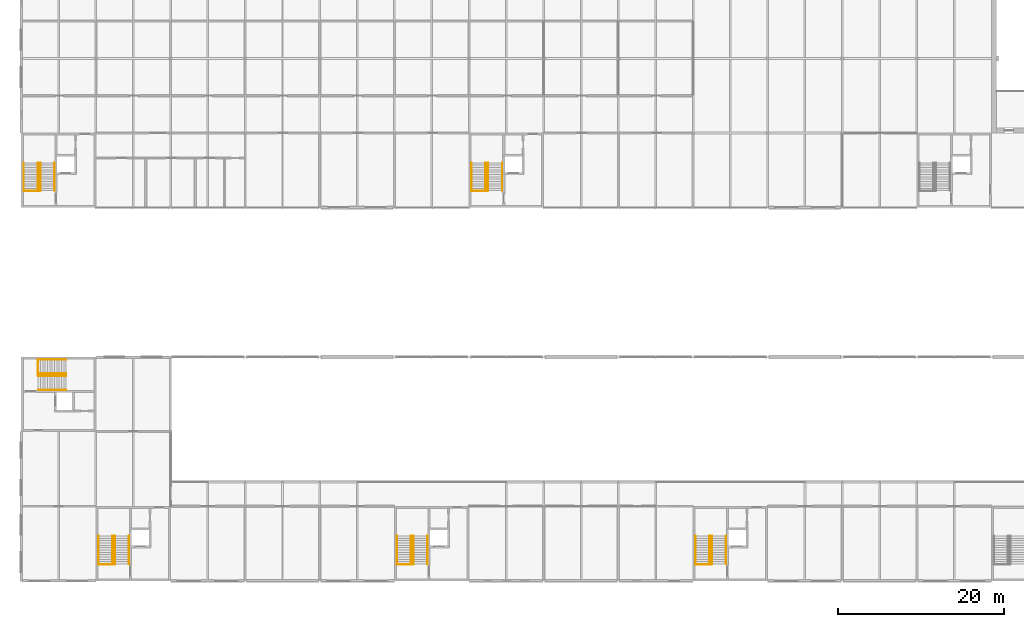
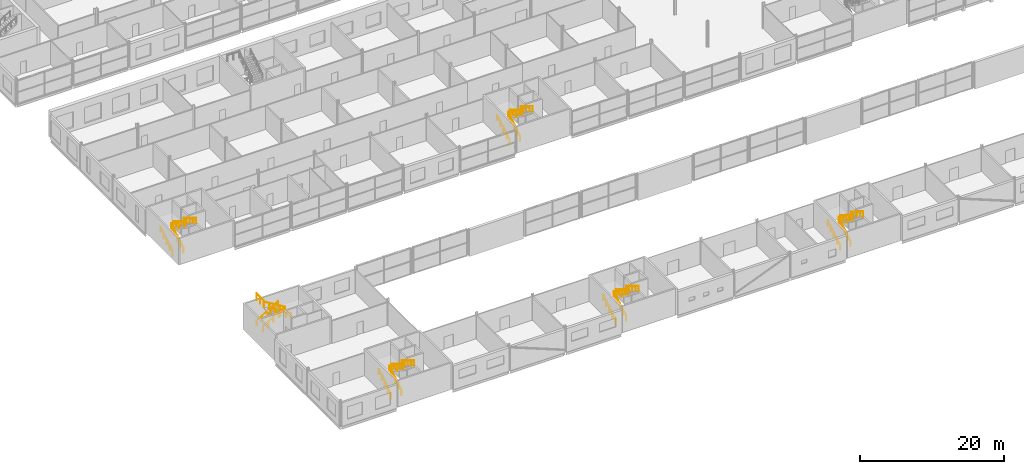
# One storey, part 93 of 97: 30 railings.
"""IFC4 building model written with IfcOpenShell, lengths in metres."""

from ifc_helpers import new_model, si_unit, direction, frame, origin, origin_2d, place, context, subcontext, project, spatial, circle, extrude, material, type_object, element, save


model = new_model("IFC4")

# Units and contexts
model_context = context("Model", 3, precision=1e-05, world=origin(), true_north=direction((0.0, 1.0)))
body_context = subcontext(model_context, "Body", "Model", "MODEL_VIEW")
ifc_project = project(units=[si_unit("LENGTHUNIT", "METRE"), si_unit("AREAUNIT", "SQUARE_METRE"), si_unit("VOLUMEUNIT", "CUBIC_METRE"), si_unit("PLANEANGLEUNIT", "RADIAN"), si_unit("MASSUNIT", "GRAM", prefix="KILO")], contexts=[model_context])

# Site, building, storey
site_placement = place(None, origin())
site = spatial("IfcSite", under=ifc_project, at=site_placement, CompositionType="ELEMENT")
building_placement = place(site_placement, origin())
building = spatial("IfcBuilding", under=site, at=building_placement, Name="Corbel Yard City Hall", CompositionType="ELEMENT")
storey_placement = place(building_placement, frame((0.0, 0.0, 6.0)))
storey = spatial("IfcBuildingStorey", under=building, at=storey_placement, Name="L01", CompositionType="ELEMENT", Elevation=6.0)

# Railings
ifc_material = material(Name="Stainless steel Grade 316", Category="steel")
railing_type_1 = type_object("IfcRailingType", Name="GR1", PredefinedType="GUARDRAIL", material=ifc_material)
for number, where, name in (
    (1, (9.300048828125, 2.0, 4.5), "Exit stair guard"),
    (2, (45.300048828125, 2.0, 4.5), "Exit stair guard"),
    (3, (81.300048828125, 2.0, 4.5), "Exit stair guard"),
):
    element("IfcRailing", number, at=place(storey_placement, frame(where)), inside=storey, type_object=railing_type_1, Name=name, PredefinedType="GUARDRAIL", context=body_context, shape_type="SweptSolid", body=[
        extrude(circle(Radius=0.02392578125, at=origin_2d()), frame((0.0, 0.0, 1.076171875), z_axis=(1.0, 0.0, 0.0), x_axis=(0.0, 1.0, 0.0)), (0.0, 0.0, 1.0), 1.949951171875),
        extrude(circle(Radius=0.02099609375, at=origin_2d()), origin(), (0.0, 0.0, 1.0), 1.052001953125),
        extrude(circle(Radius=0.02099609375, at=origin_2d()), frame((0.97509765625, 0.0, 0.0)), (0.0, 0.0, 1.0), 1.052001953125),
        extrude(circle(Radius=0.02099609375, at=origin_2d()), frame((1.949951171875, 0.0, 0.0)), (0.0, 0.0, 1.0), 1.052001953125),
    ])
railing_placement = place(storey_placement, frame((2.0, 26.699951171875, 4.5)))
element("IfcRailing", 4, at=railing_placement, inside=storey, type_object=railing_type_1, Name="Exit stair guard", PredefinedType="GUARDRAIL", context=body_context, shape_type="SweptSolid", body=[
    extrude(circle(Radius=0.02392578125, at=origin_2d()), frame((0.0, 0.0, 1.076171875), z_axis=(0.0, -1.0, 0.0), x_axis=(1.0, 0.0, 0.0)), (0.0, 0.0, 1.0), 1.949951171875),
    extrude(circle(Radius=0.02099609375, at=origin_2d()), origin(), (0.0, 0.0, 1.0), 1.052001953125),
    extrude(circle(Radius=0.02099609375, at=origin_2d()), frame((0.0, -0.97509765625, 0.0)), (0.0, 0.0, 1.0), 1.052001953125),
    extrude(circle(Radius=0.02099609375, at=origin_2d()), frame((0.0, -1.949951171875, 0.0)), (0.0, 0.0, 1.0), 1.052001953125),
])
for number, where, name in (
    (5, (0.300048828125, 47.0, 4.5), "Exit stair guard"),
    (6, (54.300048828125, 47.0, 4.5), "Exit stair guard"),
):
    element("IfcRailing", number, at=place(storey_placement, frame(where)), inside=storey, type_object=railing_type_1, Name=name, PredefinedType="GUARDRAIL", context=body_context, shape_type="SweptSolid", body=[
        extrude(circle(Radius=0.02392578125, at=origin_2d()), frame((0.0, 0.0, 1.076171875), z_axis=(1.0, 0.0, 0.0), x_axis=(0.0, 1.0, 0.0)), (0.0, 0.0, 1.0), 1.949951171875),
        extrude(circle(Radius=0.02099609375, at=origin_2d()), origin(), (0.0, 0.0, 1.0), 1.052001953125),
        extrude(circle(Radius=0.02099609375, at=origin_2d()), frame((0.97509765625, 0.0, 0.0)), (0.0, 0.0, 1.0), 1.052001953125),
        extrude(circle(Radius=0.02099609375, at=origin_2d()), frame((1.949951171875, 0.0, 0.0)), (0.0, 0.0, 1.0), 1.052001953125),
    ])
railing_type_2 = type_object("IfcRailingType", Name="HR1", PredefinedType="HANDRAIL", material=ifc_material)
for number, where, name in (
    (7, (9.300048828125, 2.050048828125, 0.173095703125), "Exit stair handrail"),
    (8, (11.0, 2.050048828125, 0.173095703125), "Exit stair handrail"),
):
    element("IfcRailing", number, at=place(storey_placement, frame(where)), inside=storey, type_object=railing_type_2, Name=name, PredefinedType="HANDRAIL", context=body_context, shape_type="SweptSolid", body=[
        extrude(circle(Radius=0.02392578125, at=origin_2d()), frame((0.0, 0.0, 0.8759765625), z_axis=(0.0, 0.850606129759, 0.525803396734), x_axis=(-1.0, 0.0, 0.0)), (0.0, 0.0, 1.0), 3.949951171875),
        extrude(circle(Radius=0.02099609375, at=origin_2d()), origin(), (0.0, 0.0, 1.0), 0.851806640625),
        extrude(circle(Radius=0.02099609375, at=origin_2d()), frame((0.0, 0.83984375, 0.519287109375)), (0.0, 0.0, 1.0), 0.851806640625),
        extrude(circle(Radius=0.02099609375, at=origin_2d()), frame((0.0, 1.679931640625, 1.03857421875)), (0.0, 0.0, 1.0), 0.851806640625),
        extrude(circle(Radius=0.02099609375, at=origin_2d()), frame((0.0, 2.52001953125, 1.5576171875)), (0.0, 0.0, 1.0), 0.851806640625),
        extrude(circle(Radius=0.02099609375, at=origin_2d()), frame((0.0, 3.35986328125, 2.076904296875)), (0.0, 0.0, 1.0), 0.851806640625),
    ])
for number, where, name in (
    (9, (11.300048828125, 5.409912109375, 2.423095703125), "Exit stair handrail"),
    (10, (13.0, 5.409912109375, 2.423095703125), "Exit stair handrail"),
):
    element("IfcRailing", number, at=place(storey_placement, frame(where)), inside=storey, type_object=railing_type_2, Name=name, PredefinedType="HANDRAIL", context=body_context, shape_type="SweptSolid", body=[
        extrude(circle(Radius=0.02392578125, at=origin_2d()), frame((0.0, 0.0, 0.8759765625), z_axis=(0.0, -0.850606129759, 0.525803396734), x_axis=(1.0, 0.0, 0.0)), (0.0, 0.0, 1.0), 3.949951171875),
        extrude(circle(Radius=0.02099609375, at=origin_2d()), origin(), (0.0, 0.0, 1.0), 0.851806640625),
        extrude(circle(Radius=0.02099609375, at=origin_2d()), frame((0.0, -0.83984375, 0.519287109375)), (0.0, 0.0, 1.0), 0.851806640625),
        extrude(circle(Radius=0.02099609375, at=origin_2d()), frame((0.0, -1.679931640625, 1.03857421875)), (0.0, 0.0, 1.0), 0.851806640625),
        extrude(circle(Radius=0.02099609375, at=origin_2d()), frame((0.0, -2.52001953125, 1.5576171875)), (0.0, 0.0, 1.0), 0.851806640625),
        extrude(circle(Radius=0.02099609375, at=origin_2d()), frame((0.0, -3.35986328125, 2.076904296875)), (0.0, 0.0, 1.0), 0.851806640625),
    ])
for number, where, name in (
    (11, (45.300048828125, 2.050048828125, 0.173095703125), "Exit stair handrail"),
    (12, (47.0, 2.050048828125, 0.173095703125), "Exit stair handrail"),
):
    element("IfcRailing", number, at=place(storey_placement, frame(where)), inside=storey, type_object=railing_type_2, Name=name, PredefinedType="HANDRAIL", context=body_context, shape_type="SweptSolid", body=[
        extrude(circle(Radius=0.02392578125, at=origin_2d()), frame((0.0, 0.0, 0.8759765625), z_axis=(0.0, 0.850606129759, 0.525803396734), x_axis=(-1.0, 0.0, 0.0)), (0.0, 0.0, 1.0), 3.949951171875),
        extrude(circle(Radius=0.02099609375, at=origin_2d()), origin(), (0.0, 0.0, 1.0), 0.851806640625),
        extrude(circle(Radius=0.02099609375, at=origin_2d()), frame((0.0, 0.83984375, 0.519287109375)), (0.0, 0.0, 1.0), 0.851806640625),
        extrude(circle(Radius=0.02099609375, at=origin_2d()), frame((0.0, 1.679931640625, 1.03857421875)), (0.0, 0.0, 1.0), 0.851806640625),
        extrude(circle(Radius=0.02099609375, at=origin_2d()), frame((0.0, 2.52001953125, 1.5576171875)), (0.0, 0.0, 1.0), 0.851806640625),
        extrude(circle(Radius=0.02099609375, at=origin_2d()), frame((0.0, 3.35986328125, 2.076904296875)), (0.0, 0.0, 1.0), 0.851806640625),
    ])
for number, where, name in (
    (13, (47.300048828125, 5.409912109375, 2.423095703125), "Exit stair handrail"),
    (14, (49.0, 5.409912109375, 2.423095703125), "Exit stair handrail"),
):
    element("IfcRailing", number, at=place(storey_placement, frame(where)), inside=storey, type_object=railing_type_2, Name=name, PredefinedType="HANDRAIL", context=body_context, shape_type="SweptSolid", body=[
        extrude(circle(Radius=0.02392578125, at=origin_2d()), frame((0.0, 0.0, 0.8759765625), z_axis=(0.0, -0.850606129759, 0.525803396734), x_axis=(1.0, 0.0, 0.0)), (0.0, 0.0, 1.0), 3.949951171875),
        extrude(circle(Radius=0.02099609375, at=origin_2d()), origin(), (0.0, 0.0, 1.0), 0.851806640625),
        extrude(circle(Radius=0.02099609375, at=origin_2d()), frame((0.0, -0.83984375, 0.519287109375)), (0.0, 0.0, 1.0), 0.851806640625),
        extrude(circle(Radius=0.02099609375, at=origin_2d()), frame((0.0, -1.679931640625, 1.03857421875)), (0.0, 0.0, 1.0), 0.851806640625),
        extrude(circle(Radius=0.02099609375, at=origin_2d()), frame((0.0, -2.52001953125, 1.5576171875)), (0.0, 0.0, 1.0), 0.851806640625),
        extrude(circle(Radius=0.02099609375, at=origin_2d()), frame((0.0, -3.35986328125, 2.076904296875)), (0.0, 0.0, 1.0), 0.851806640625),
    ])
for number, where, name in (
    (15, (81.300048828125, 2.050048828125, 0.173095703125), "Exit stair handrail"),
    (16, (83.0, 2.050048828125, 0.173095703125), "Exit stair handrail"),
):
    element("IfcRailing", number, at=place(storey_placement, frame(where)), inside=storey, type_object=railing_type_2, Name=name, PredefinedType="HANDRAIL", context=body_context, shape_type="SweptSolid", body=[
        extrude(circle(Radius=0.02392578125, at=origin_2d()), frame((0.0, 0.0, 0.8759765625), z_axis=(0.0, 0.850606129759, 0.525803396734), x_axis=(-1.0, 0.0, 0.0)), (0.0, 0.0, 1.0), 3.949951171875),
        extrude(circle(Radius=0.02099609375, at=origin_2d()), origin(), (0.0, 0.0, 1.0), 0.851806640625),
        extrude(circle(Radius=0.02099609375, at=origin_2d()), frame((0.0, 0.83984375, 0.519287109375)), (0.0, 0.0, 1.0), 0.851806640625),
        extrude(circle(Radius=0.02099609375, at=origin_2d()), frame((0.0, 1.679931640625, 1.03857421875)), (0.0, 0.0, 1.0), 0.851806640625),
        extrude(circle(Radius=0.02099609375, at=origin_2d()), frame((0.0, 2.52001953125, 1.5576171875)), (0.0, 0.0, 1.0), 0.851806640625),
        extrude(circle(Radius=0.02099609375, at=origin_2d()), frame((0.0, 3.35986328125, 2.076904296875)), (0.0, 0.0, 1.0), 0.851806640625),
    ])
for number, where, name in (
    (17, (83.300048828125, 5.409912109375, 2.423095703125), "Exit stair handrail"),
    (18, (85.0, 5.409912109375, 2.423095703125), "Exit stair handrail"),
):
    element("IfcRailing", number, at=place(storey_placement, frame(where)), inside=storey, type_object=railing_type_2, Name=name, PredefinedType="HANDRAIL", context=body_context, shape_type="SweptSolid", body=[
        extrude(circle(Radius=0.02392578125, at=origin_2d()), frame((0.0, 0.0, 0.8759765625), z_axis=(0.0, -0.850606129759, 0.525803396734), x_axis=(1.0, 0.0, 0.0)), (0.0, 0.0, 1.0), 3.949951171875),
        extrude(circle(Radius=0.02099609375, at=origin_2d()), origin(), (0.0, 0.0, 1.0), 0.851806640625),
        extrude(circle(Radius=0.02099609375, at=origin_2d()), frame((0.0, -0.83984375, 0.519287109375)), (0.0, 0.0, 1.0), 0.851806640625),
        extrude(circle(Radius=0.02099609375, at=origin_2d()), frame((0.0, -1.679931640625, 1.03857421875)), (0.0, 0.0, 1.0), 0.851806640625),
        extrude(circle(Radius=0.02099609375, at=origin_2d()), frame((0.0, -2.52001953125, 1.5576171875)), (0.0, 0.0, 1.0), 0.851806640625),
        extrude(circle(Radius=0.02099609375, at=origin_2d()), frame((0.0, -3.35986328125, 2.076904296875)), (0.0, 0.0, 1.0), 0.851806640625),
    ])
for number, where, name in (
    (19, (2.050048828125, 26.699951171875, 0.173095703125), "Exit stair handrail"),
    (20, (2.050048828125, 25.0, 0.173095703125), "Exit stair handrail"),
):
    element("IfcRailing", number, at=place(storey_placement, frame(where)), inside=storey, type_object=railing_type_2, Name=name, PredefinedType="HANDRAIL", context=body_context, shape_type="SweptSolid", body=[
        extrude(circle(Radius=0.02392578125, at=origin_2d()), frame((0.0, 0.0, 0.8759765625), z_axis=(0.850606129759, 0.0, 0.525803396734), x_axis=(0.0, 1.0, 0.0)), (0.0, 0.0, 1.0), 3.949951171875),
        extrude(circle(Radius=0.02099609375, at=origin_2d()), origin(), (0.0, 0.0, 1.0), 0.851806640625),
        extrude(circle(Radius=0.02099609375, at=origin_2d()), frame((0.83984375, 0.0, 0.519287109375)), (0.0, 0.0, 1.0), 0.851806640625),
        extrude(circle(Radius=0.02099609375, at=origin_2d()), frame((1.679931640625, 0.0, 1.03857421875)), (0.0, 0.0, 1.0), 0.851806640625),
        extrude(circle(Radius=0.02099609375, at=origin_2d()), frame((2.52001953125, 0.0, 1.5576171875)), (0.0, 0.0, 1.0), 0.851806640625),
        extrude(circle(Radius=0.02099609375, at=origin_2d()), frame((3.35986328125, 0.0, 2.076904296875)), (0.0, 0.0, 1.0), 0.851806640625),
    ])
for number, where, name in (
    (21, (5.409912109375, 24.699951171875, 2.423095703125), "Exit stair handrail"),
    (22, (5.409912109375, 23.0, 2.423095703125), "Exit stair handrail"),
):
    element("IfcRailing", number, at=place(storey_placement, frame(where)), inside=storey, type_object=railing_type_2, Name=name, PredefinedType="HANDRAIL", context=body_context, shape_type="SweptSolid", body=[
        extrude(circle(Radius=0.02392578125, at=origin_2d()), frame((0.0, 0.0, 0.8759765625), z_axis=(-0.850606129759, 0.0, 0.525803396734), x_axis=(0.0, -1.0, 0.0)), (0.0, 0.0, 1.0), 3.949951171875),
        extrude(circle(Radius=0.02099609375, at=origin_2d()), origin(), (0.0, 0.0, 1.0), 0.851806640625),
        extrude(circle(Radius=0.02099609375, at=origin_2d()), frame((-0.83984375, 0.0, 0.519287109375)), (0.0, 0.0, 1.0), 0.851806640625),
        extrude(circle(Radius=0.02099609375, at=origin_2d()), frame((-1.679931640625, 0.0, 1.03857421875)), (0.0, 0.0, 1.0), 0.851806640625),
        extrude(circle(Radius=0.02099609375, at=origin_2d()), frame((-2.52001953125, 0.0, 1.5576171875)), (0.0, 0.0, 1.0), 0.851806640625),
        extrude(circle(Radius=0.02099609375, at=origin_2d()), frame((-3.35986328125, 0.0, 2.076904296875)), (0.0, 0.0, 1.0), 0.851806640625),
    ])
for number, where, name in (
    (23, (0.300048828125, 47.050048828125, 0.173095703125), "Exit stair handrail"),
    (24, (2.0, 47.050048828125, 0.173095703125), "Exit stair handrail"),
):
    element("IfcRailing", number, at=place(storey_placement, frame(where)), inside=storey, type_object=railing_type_2, Name=name, PredefinedType="HANDRAIL", context=body_context, shape_type="SweptSolid", body=[
        extrude(circle(Radius=0.02392578125, at=origin_2d()), frame((0.0, 0.0, 0.8759765625), z_axis=(0.0, 0.850606129759, 0.525803396734), x_axis=(-1.0, 0.0, 0.0)), (0.0, 0.0, 1.0), 3.949951171875),
        extrude(circle(Radius=0.02099609375, at=origin_2d()), origin(), (0.0, 0.0, 1.0), 0.851806640625),
        extrude(circle(Radius=0.02099609375, at=origin_2d()), frame((0.0, 0.83984375, 0.519287109375)), (0.0, 0.0, 1.0), 0.851806640625),
        extrude(circle(Radius=0.02099609375, at=origin_2d()), frame((0.0, 1.679931640625, 1.03857421875)), (0.0, 0.0, 1.0), 0.851806640625),
        extrude(circle(Radius=0.02099609375, at=origin_2d()), frame((0.0, 2.52001953125, 1.5576171875)), (0.0, 0.0, 1.0), 0.851806640625),
        extrude(circle(Radius=0.02099609375, at=origin_2d()), frame((0.0, 3.35986328125, 2.076904296875)), (0.0, 0.0, 1.0), 0.851806640625),
    ])
for number, where, name in (
    (25, (2.300048828125, 50.409912109375, 2.423095703125), "Exit stair handrail"),
    (26, (4.0, 50.409912109375, 2.423095703125), "Exit stair handrail"),
):
    element("IfcRailing", number, at=place(storey_placement, frame(where)), inside=storey, type_object=railing_type_2, Name=name, PredefinedType="HANDRAIL", context=body_context, shape_type="SweptSolid", body=[
        extrude(circle(Radius=0.02392578125, at=origin_2d()), frame((0.0, 0.0, 0.8759765625), z_axis=(0.0, -0.850606129759, 0.525803396734), x_axis=(1.0, 0.0, 0.0)), (0.0, 0.0, 1.0), 3.949951171875),
        extrude(circle(Radius=0.02099609375, at=origin_2d()), origin(), (0.0, 0.0, 1.0), 0.851806640625),
        extrude(circle(Radius=0.02099609375, at=origin_2d()), frame((0.0, -0.83984375, 0.519287109375)), (0.0, 0.0, 1.0), 0.851806640625),
        extrude(circle(Radius=0.02099609375, at=origin_2d()), frame((0.0, -1.679931640625, 1.03857421875)), (0.0, 0.0, 1.0), 0.851806640625),
        extrude(circle(Radius=0.02099609375, at=origin_2d()), frame((0.0, -2.52001953125, 1.5576171875)), (0.0, 0.0, 1.0), 0.851806640625),
        extrude(circle(Radius=0.02099609375, at=origin_2d()), frame((0.0, -3.35986328125, 2.076904296875)), (0.0, 0.0, 1.0), 0.851806640625),
    ])
for number, where, name in (
    (27, (54.300048828125, 47.050048828125, 0.173095703125), "Exit stair handrail"),
    (28, (56.0, 47.050048828125, 0.173095703125), "Exit stair handrail"),
):
    element("IfcRailing", number, at=place(storey_placement, frame(where)), inside=storey, type_object=railing_type_2, Name=name, PredefinedType="HANDRAIL", context=body_context, shape_type="SweptSolid", body=[
        extrude(circle(Radius=0.02392578125, at=origin_2d()), frame((0.0, 0.0, 0.8759765625), z_axis=(0.0, 0.850606129759, 0.525803396734), x_axis=(-1.0, 0.0, 0.0)), (0.0, 0.0, 1.0), 3.949951171875),
        extrude(circle(Radius=0.02099609375, at=origin_2d()), origin(), (0.0, 0.0, 1.0), 0.851806640625),
        extrude(circle(Radius=0.02099609375, at=origin_2d()), frame((0.0, 0.83984375, 0.519287109375)), (0.0, 0.0, 1.0), 0.851806640625),
        extrude(circle(Radius=0.02099609375, at=origin_2d()), frame((0.0, 1.679931640625, 1.03857421875)), (0.0, 0.0, 1.0), 0.851806640625),
        extrude(circle(Radius=0.02099609375, at=origin_2d()), frame((0.0, 2.52001953125, 1.5576171875)), (0.0, 0.0, 1.0), 0.851806640625),
        extrude(circle(Radius=0.02099609375, at=origin_2d()), frame((0.0, 3.35986328125, 2.076904296875)), (0.0, 0.0, 1.0), 0.851806640625),
    ])
for number, where, name in (
    (29, (56.300048828125, 50.409912109375, 2.423095703125), "Exit stair handrail"),
    (30, (58.0, 50.409912109375, 2.423095703125), "Exit stair handrail"),
):
    element("IfcRailing", number, at=place(storey_placement, frame(where)), inside=storey, type_object=railing_type_2, Name=name, PredefinedType="HANDRAIL", context=body_context, shape_type="SweptSolid", body=[
        extrude(circle(Radius=0.02392578125, at=origin_2d()), frame((0.0, 0.0, 0.8759765625), z_axis=(0.0, -0.850606129759, 0.525803396734), x_axis=(1.0, 0.0, 0.0)), (0.0, 0.0, 1.0), 3.949951171875),
        extrude(circle(Radius=0.02099609375, at=origin_2d()), origin(), (0.0, 0.0, 1.0), 0.851806640625),
        extrude(circle(Radius=0.02099609375, at=origin_2d()), frame((0.0, -0.83984375, 0.519287109375)), (0.0, 0.0, 1.0), 0.851806640625),
        extrude(circle(Radius=0.02099609375, at=origin_2d()), frame((0.0, -1.679931640625, 1.03857421875)), (0.0, 0.0, 1.0), 0.851806640625),
        extrude(circle(Radius=0.02099609375, at=origin_2d()), frame((0.0, -2.52001953125, 1.5576171875)), (0.0, 0.0, 1.0), 0.851806640625),
        extrude(circle(Radius=0.02099609375, at=origin_2d()), frame((0.0, -3.35986328125, 2.076904296875)), (0.0, 0.0, 1.0), 0.851806640625),
    ])

save(model, "model.ifc")
